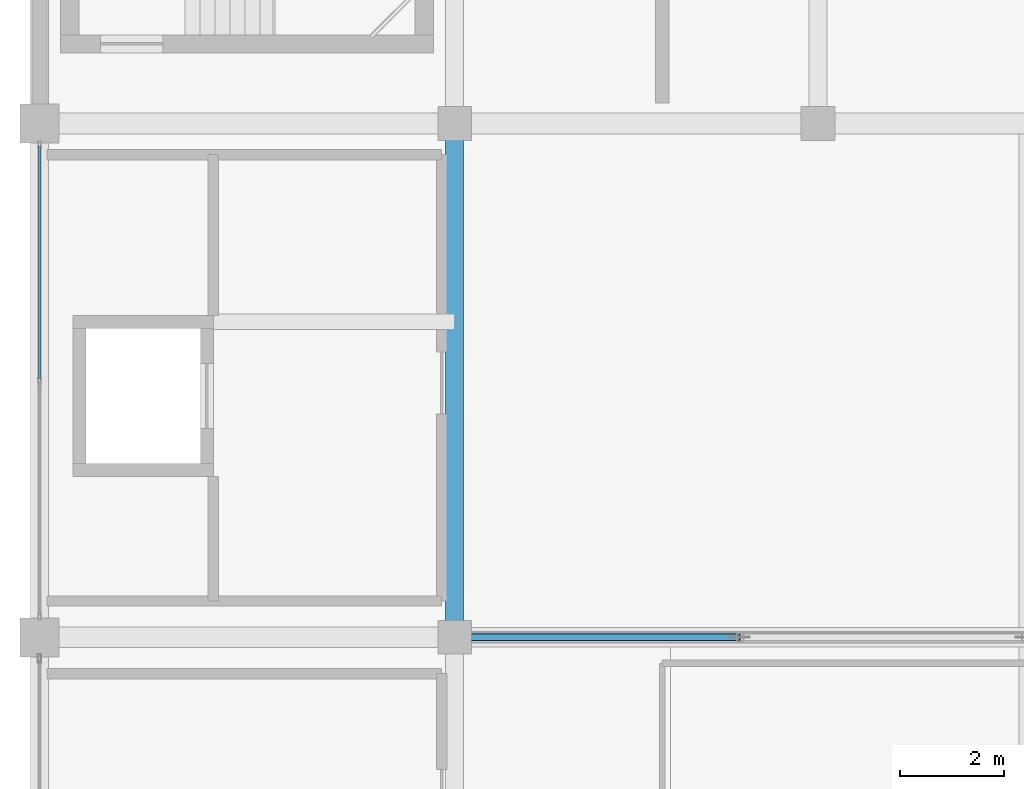
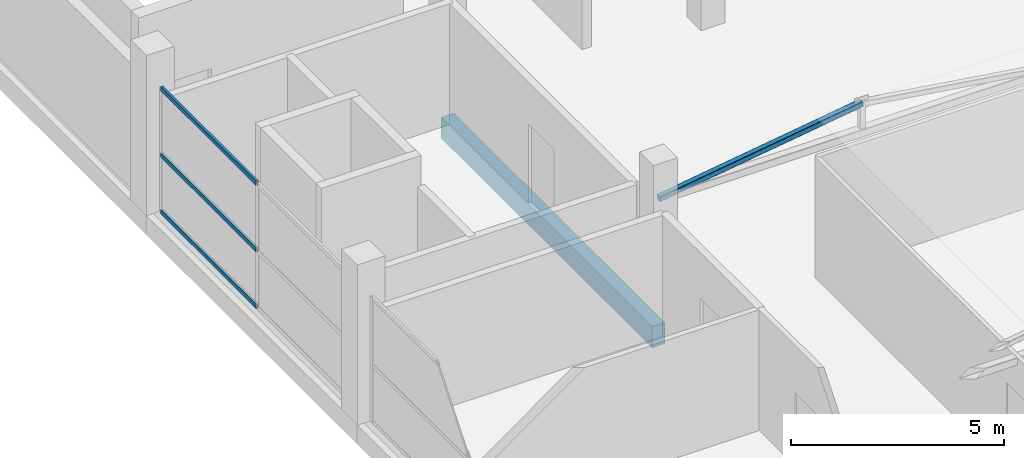
# One storey, part 26 of 69: 4 members, 1 beam, 1 element without a shape of its own.
"""IFC4 building model written with IfcOpenShell, lengths in metres."""

import ifcopenshell
import ifcopenshell.guid

model = None  # the IFC model being written
_history = None  # IfcOwnerHistory: only IFC2X3 demands one
_inside = {}  # id of a spatial element -> (the spatial element, [elements in it])
_under = {}  # id of a project, library or spatial element -> (it, [spatial elements below it])
_declared = {}  # id of a project -> (the project, [libraries it declares])
_typed = {}  # id of a type object -> (the type object, [elements of that type])
_made_of = {}  # id of a material, layer set ... -> (it, [elements and type objects made of it])


def new_model(schema):
    """Start an empty IFC model of exactly this schema.

    Asked for "IFC4X3", IfcOpenShell would pick the latest addendum, in which some entities
    have other attributes; the version numbers below select the first issue.
    IFC2X3 requires an IfcOwnerHistory on every rooted entity: one is made here for all.
    """
    global model, _history
    if schema == "IFC4X3":
        model = ifcopenshell.file(schema_version=(4, 3, 0, 0))
    else:
        model = ifcopenshell.file(schema=schema)
    _inside.clear()
    _under.clear()
    _declared.clear()
    _typed.clear()
    _made_of.clear()
    _history = None
    if model.schema == "IFC2X3":
        org = make("IfcOrganization", Name="unknown")
        user = make(
            "IfcPersonAndOrganization",
            ThePerson=make("IfcPerson", FamilyName="unknown"),
            TheOrganization=org,
        )
        app = make(
            "IfcApplication",
            ApplicationDeveloper=org,
            Version="unknown",
            ApplicationFullName="unknown",
            ApplicationIdentifier="unknown",
        )
        _history = make(
            "IfcOwnerHistory",
            OwningUser=user,
            OwningApplication=app,
            ChangeAction="ADDED",
            CreationDate=0,
        )
    return model


def make(cls, **values):
    """One entity of the class cls with the attributes given. An attribute that is None is left unset."""
    return model.create_entity(
        cls, **{name: value for name, value in values.items() if value is not None}
    )


def rooted(cls, **values):
    """An entity with a GlobalId (a new one), such as an element, a storey or a relation."""
    return make(cls, GlobalId=ifcopenshell.guid.new(), OwnerHistory=_history, **values)


def si_unit(unit_type, name, prefix=None):
    """IfcSIUnit, for example si_unit("LENGTHUNIT", "METRE", prefix="MILLI")."""
    return make("IfcSIUnit", UnitType=unit_type, Prefix=prefix, Name=name)


def assignment(units):
    """IfcUnitAssignment: the units of a project."""
    return None if units is None else make("IfcUnitAssignment", Units=units)


def point(xyz):
    """IfcCartesianPoint."""
    return None if xyz is None else make("IfcCartesianPoint", Coordinates=xyz)


def direction(xyz):
    """IfcDirection."""
    return None if xyz is None else make("IfcDirection", DirectionRatios=xyz)


def frame(location, z_axis=None, x_axis=None):
    """IfcAxis2Placement3D, a coordinate frame: its origin and axes. An axis left out is left unset."""
    return make(
        "IfcAxis2Placement3D",
        Location=point(location),
        Axis=direction(z_axis),
        RefDirection=direction(x_axis),
    )


def frame_2d(location, x_axis=None):
    """IfcAxis2Placement2D, a coordinate frame in the plane: its origin and x axis."""
    return make(
        "IfcAxis2Placement2D", Location=point(location), RefDirection=direction(x_axis)
    )


def origin():
    """The frame at (0, 0, 0) with its axes left unset."""
    return frame((0.0, 0.0, 0.0))


def origin_2d():
    """The frame at (0, 0) in the plane with its x axis left unset."""
    return frame_2d((0.0, 0.0))


def place(relative_to, where):
    """IfcLocalPlacement: puts the frame where relative to a parent placement (None: the world)."""
    return make(
        "IfcLocalPlacement", PlacementRelTo=relative_to, RelativePlacement=where
    )


def context(
    kind, dimensions, precision=None, world=None, true_north=None, identifier=None
):
    """IfcGeometricRepresentationContext, for example the 3D "Model" context."""
    return make(
        "IfcGeometricRepresentationContext",
        ContextIdentifier=identifier,
        ContextType=kind,
        CoordinateSpaceDimension=dimensions,
        Precision=precision,
        WorldCoordinateSystem=world,
        TrueNorth=true_north,
    )


def subcontext(parent, identifier, kind, view, scale=None):
    """IfcGeometricRepresentationSubContext, for example "Body" below "Model"."""
    return make(
        "IfcGeometricRepresentationSubContext",
        ContextIdentifier=identifier,
        ContextType=kind,
        ParentContext=parent,
        TargetScale=scale,
        TargetView=view,
    )


def project(units=None, contexts=None):
    """IfcProject with its units and contexts."""
    return rooted(
        "IfcProject",
        Name="project",
        RepresentationContexts=contexts,
        UnitsInContext=assignment(units),
    )


def spatial(cls, under=None, at=None, **own):
    """A site, building, storey or space (cls), placed at a placement, below another one or the project."""
    s = rooted(cls, ObjectPlacement=at, **own)
    if under is not None:
        _under.setdefault(under.id(), (under, []))[1].append(s)
    return s


def profile(cls, at=None, kind="AREA", **sizes):
    """A parametric profile (cls). Its sizes go by their IFC names, for example OverallWidth=200.0."""
    return make(cls, ProfileType=kind, Position=at, **sizes)


def rectangle(**sizes):
    """IfcRectangleProfileDef."""
    return profile("IfcRectangleProfileDef", **sizes)


def hollow_rectangle(**sizes):
    """IfcRectangleHollowProfileDef."""
    return profile("IfcRectangleHollowProfileDef", **sizes)


def extrude(swept, where, along, depth):
    """IfcExtrudedAreaSolid: the profile swept, set in the frame where, extruded along a direction by depth."""
    return make(
        "IfcExtrudedAreaSolid",
        SweptArea=swept,
        Position=where,
        ExtrudedDirection=direction(along),
        Depth=depth,
    )


def shape(context_of_items, identifier, shape_type, items):
    """IfcShapeRepresentation: the items that make up one representation, for example the "Body"."""
    return make(
        "IfcShapeRepresentation",
        ContextOfItems=context_of_items,
        RepresentationIdentifier=identifier,
        RepresentationType=shape_type,
        Items=items,
    )


def material(Name=None, Category=None):
    """IfcMaterial."""
    return make("IfcMaterial", Name=Name, Category=Category)


def layer(
    of_material, thickness, ventilated=None, Name=None, Category=None, Priority=None
):
    """IfcMaterialLayer: one layer of a wall or slab, of a material (None: an air gap)."""
    return make(
        "IfcMaterialLayer",
        Material=of_material,
        LayerThickness=thickness,
        IsVentilated=ventilated,
        Name=Name,
        Category=Category,
        Priority=Priority,
    )


def layer_set(layers, Name=None):
    """IfcMaterialLayerSet."""
    return make("IfcMaterialLayerSet", MaterialLayers=layers, LayerSetName=Name)


def material_profile(
    of_material, cross_section, Name=None, Category=None, Priority=None
):
    """IfcMaterialProfile: a cross section and its material."""
    return make(
        "IfcMaterialProfile",
        Name=Name,
        Material=of_material,
        Profile=cross_section,
        Priority=Priority,
        Category=Category,
    )


def profile_set(profiles, Name=None, composite=None):
    """IfcMaterialProfileSet."""
    return make(
        "IfcMaterialProfileSet",
        Name=Name,
        MaterialProfiles=profiles,
        CompositeProfile=composite,
    )


def made_of(thing, what):
    """Note that an element or type object is made of a material, layer set ...; save() writes the relation."""
    if what is not None:
        _made_of.setdefault(what.id(), (what, []))[1].append(thing)
    return thing


def type_object(cls, material=None, **own):
    """A type object (cls), such as IfcWallType, which elements share."""
    return made_of(rooted(cls, **own), material)


def element(
    cls,
    number,
    at=None,
    inside=None,
    cuts=None,
    type_object=None,
    material=None,
    context=None,
    identifier="Body",
    shape_type=None,
    held_by="IfcProductDefinitionShape",
    body=None,
    shapes=None,
    **own,
):
    """One element of the class cls, such as IfcWall. Its Tag is "e" and its number.

    at: its placement. inside: the storey or other place that contains it. cuts: it is an
    opening in that element (IfcRelVoidsElement). A single representation is given by context,
    identifier, shape_type and body (its items); several are given by shapes. held_by: the class
    of the entity that holds the representations. save() writes the other relations.
    """
    e = rooted(cls, Tag="e%d" % number, ObjectPlacement=at, **own)
    if body is not None:
        shapes = [shape(context, identifier, shape_type, body)]
    if shapes is not None:
        e.Representation = make(held_by, Representations=shapes)
    if inside is not None:
        _inside.setdefault(inside.id(), (inside, []))[1].append(e)
    if cuts is not None:
        rooted(
            "IfcRelVoidsElement", RelatingBuildingElement=cuts, RelatedOpeningElement=e
        )
    if type_object is not None:
        _typed.setdefault(type_object.id(), (type_object, []))[1].append(e)
    return made_of(e, material)


def aggregate(whole, parts):
    """IfcRelAggregates: a whole, such as a stair, and the parts it consists of."""
    return rooted("IfcRelAggregates", RelatingObject=whole, RelatedObjects=parts)


def save(model, path):
    """Write the relations noted so far, then the file.

    IfcRelAggregates (storeys below a building ...), IfcRelContainedInSpatialStructure (elements
    in a storey), IfcRelDefinesByType, IfcRelAssociatesMaterial and IfcRelDeclares: one each for
    every whole, place, type object, material and project.
    """
    for whole, parts in _under.values():
        aggregate(whole, parts)
    for where, things in _inside.values():
        rooted(
            "IfcRelContainedInSpatialStructure",
            RelatedElements=things,
            RelatingStructure=where,
        )
    for kind, things in _typed.values():
        rooted("IfcRelDefinesByType", RelatedObjects=things, RelatingType=kind)
    for what, things in _made_of.values():
        rooted("IfcRelAssociatesMaterial", RelatedObjects=things, RelatingMaterial=what)
    for by, libraries in _declared.values():
        rooted("IfcRelDeclares", RelatingContext=by, RelatedDefinitions=libraries)
    model.write(path)


model = new_model("IFC4")

# Units and contexts
model_context = context("Model", 3, precision=1e-05, world=origin(), true_north=direction((0.0, 1.0)))
body_context = subcontext(model_context, "Body", "Model", "MODEL_VIEW")
ifc_project = project(units=[si_unit("LENGTHUNIT", "METRE"), si_unit("AREAUNIT", "SQUARE_METRE"), si_unit("VOLUMEUNIT", "CUBIC_METRE"), si_unit("PLANEANGLEUNIT", "RADIAN"), si_unit("MASSUNIT", "GRAM", prefix="KILO")], contexts=[model_context])

# Site, building, storey
site_placement = place(None, origin())
site = spatial("IfcSite", under=ifc_project, at=site_placement, CompositionType="ELEMENT")
building_placement = place(site_placement, origin())
building = spatial("IfcBuilding", under=site, at=building_placement, Name="Sillaruma Civic Art Gallery", CompositionType="ELEMENT")
storey_placement = place(building_placement, frame((0.0, 0.0, 42.330078125)))
storey = spatial("IfcBuildingStorey", under=building, at=storey_placement, Name="L08", CompositionType="ELEMENT", Elevation=42.330078125)

# Beam
ifc_material_1 = material(Name="Concrete H35 (35 MPa)", Category="concrete")
ifc_material_profile_1 = material_profile(ifc_material_1, rectangle(XDim=0.35009765625, YDim=0.60009765625, at=origin_2d()), Name="RCB350x600")
ifc_profile_set_1 = profile_set([ifc_material_profile_1], Name="Concrete H35 (35 MPa)")
beam_type = type_object("IfcBeamType", Name="BM-BEAM-RCB350x600", PredefinedType="BEAM", material=ifc_profile_set_1)
beam_placement = place(storey_placement, frame((70.0, 69.300048828125, -0.580078125), z_axis=(0.0, 1.0, 0.0), x_axis=(-1.0, 0.0, 0.0)))
element("IfcBeam", 1, at=beam_placement, inside=storey, type_object=beam_type, Name="Beam BM-06 (L07:G:8-9)", PredefinedType="BEAM", context=body_context, shape_type="SweptSolid", body=[
    extrude(rectangle(XDim=0.35009765625, YDim=0.60009765625, at=origin_2d()), origin(), (0.0, 0.0, 1.0), 9.89990234375),
])

# Member
ifc_material_2 = material(Name="Structural Steel ASTM A500 Gr.C", Category="steel")
ifc_material_profile_2 = material_profile(ifc_material_2, hollow_rectangle(XDim=0.14990234375, YDim=0.14990234375, WallThickness=0.010009765625, InnerFilletRadius=0.010009765625, OuterFilletRadius=0.02001953125, at=origin_2d()), Name="HSS150x150x10")
ifc_profile_set_2 = profile_set([ifc_material_profile_2], Name="Structural Steel ASTM A500 Gr.C")
member_type_1 = type_object("IfcMemberType", Name="MEM-BRACE-HSS150x150x10", PredefinedType="BRACE", material=ifc_profile_set_2)
member_1_placement = place(storey_placement, frame((70.0, 69.300048828125, 3.349853515625), z_axis=(0.989377720719, 0.0, 0.145367553959), x_axis=(0.0, 1.0, 0.0)))
element("IfcMember", 2, at=member_1_placement, inside=storey, type_object=member_type_1, Name="Warren Truss Diagonal TR-L08-3-D1", PredefinedType="BRACE", context=body_context, shape_type="SweptSolid", body=[
    extrude(hollow_rectangle(XDim=0.14990234375, YDim=0.14990234375, WallThickness=0.010009765625, InnerFilletRadius=0.010009765625, OuterFilletRadius=0.02001953125, at=origin_2d()), origin(), (0.0, 0.0, 1.0), 5.55908203125),
])

# Curtain wall, members
ifc_material_3 = material(Name="Thermally Broken Extruded Aluminium 6063-T6", Category="aluminium")
ifc_layer = layer(ifc_material_3, 0.139892578125, Name="Thermally Broken Extruded Aluminium 6063-T6")
ifc_layer_set = layer_set([ifc_layer], Name="Thermally Broken Extruded Aluminium 6063-T6")
curtain_wall_type = type_object("IfcCurtainWallType", Name="CW-UNI-40", PredefinedType="NOTDEFINED", material=ifc_layer_set)
curtain_wall_placement = place(storey_placement, origin())
curtain_wall = element("IfcCurtainWall", 3, at=curtain_wall_placement, inside=storey, type_object=curtain_wall_type, Name="Unitised Curtain Wall CW-40 (CW-L08-WBW-6)", PredefinedType="NOTDEFINED")
ifc_material_profile_3 = material_profile(ifc_material_3, hollow_rectangle(XDim=0.06494140625, YDim=0.1201171875, WallThickness=0.00341796875, at=origin_2d()), Name="CWT65x120")
ifc_profile_set_3 = profile_set([ifc_material_profile_3], Name="Thermally Broken Extruded Aluminium 6063-T6")
member_type_2 = type_object("IfcMemberType", Name="MEM-TRN-CWT65x120", PredefinedType="USERDEFINED", material=ifc_profile_set_3)
member_2_placement = place(storey_placement, frame((62.0, 74.280029296875, 0.032470703125), z_axis=(0.0, 1.0, 0.0), x_axis=(-1.0, 0.0, 0.0)))
member_2 = element("IfcMember", 4, at=member_2_placement, type_object=member_type_2, Name="CW-40 transom 2.1", ObjectType="TRANSOM", PredefinedType="USERDEFINED", context=body_context, shape_type="SweptSolid", body=[
    extrude(hollow_rectangle(XDim=0.06494140625, YDim=0.1201171875, WallThickness=0.00341796875, at=origin_2d()), origin(), (0.0, 0.0, 1.0), 4.48486328125),
])
member_3_placement = place(storey_placement, frame((62.0, 74.280029296875, 1.6513671875), z_axis=(0.0, 1.0, 0.0), x_axis=(-1.0, 0.0, 0.0)))
member_3 = element("IfcMember", 5, at=member_3_placement, type_object=member_type_2, Name="CW-40 transom 2.2", ObjectType="TRANSOM", PredefinedType="USERDEFINED", context=body_context, shape_type="SweptSolid", body=[
    extrude(hollow_rectangle(XDim=0.06494140625, YDim=0.1201171875, WallThickness=0.00341796875, at=origin_2d()), origin(), (0.0, 0.0, 1.0), 4.48486328125),
])
member_4_placement = place(storey_placement, frame((62.0, 74.280029296875, 3.557373046875), z_axis=(0.0, 1.0, 0.0), x_axis=(-1.0, 0.0, 0.0)))
member_4 = element("IfcMember", 6, at=member_4_placement, type_object=member_type_2, Name="CW-40 transom 2.3", ObjectType="TRANSOM", PredefinedType="USERDEFINED", context=body_context, shape_type="SweptSolid", body=[
    extrude(hollow_rectangle(XDim=0.06494140625, YDim=0.1201171875, WallThickness=0.00341796875, at=origin_2d()), origin(), (0.0, 0.0, 1.0), 4.48486328125),
])
aggregate(curtain_wall, [member_2, member_3, member_4])

save(model, "model.ifc")
